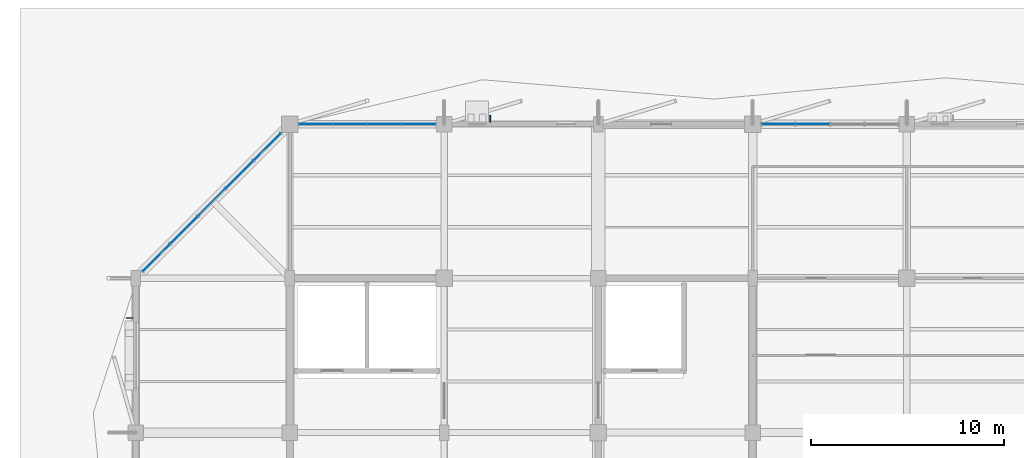
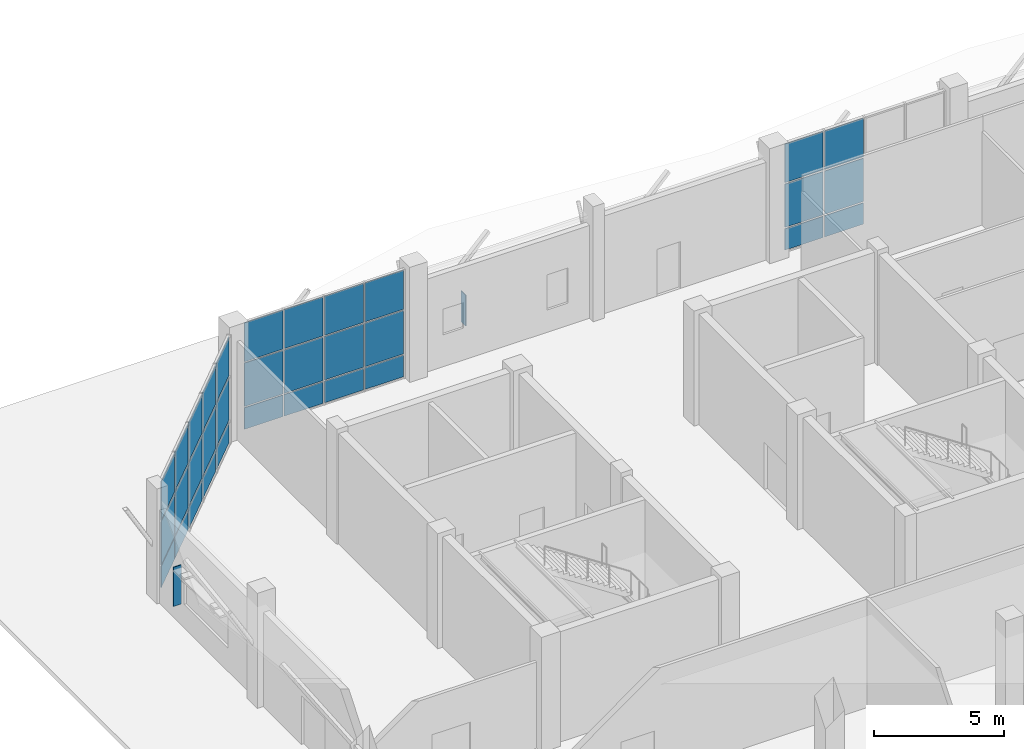
# One storey, part 79 of 123: 35 plates, 3 elements without a shape of their own.
"""IFC4 building model written with IfcOpenShell, lengths in metres."""

from ifc_helpers import new_model, si_unit, direction, frame, origin, origin_2d, place, context, subcontext, project, spatial, rectangle, extrude, material, layer, layer_set, type_object, element, aggregate, save


model = new_model("IFC4")

# Units and contexts
model_context = context("Model", 3, precision=1e-05, world=origin(), true_north=direction((0.0, 1.0)))
body_context = subcontext(model_context, "Body", "Model", "MODEL_VIEW")
ifc_project = project(units=[si_unit("LENGTHUNIT", "METRE"), si_unit("AREAUNIT", "SQUARE_METRE"), si_unit("VOLUMEUNIT", "CUBIC_METRE"), si_unit("PLANEANGLEUNIT", "RADIAN"), si_unit("MASSUNIT", "GRAM", prefix="KILO")], contexts=[model_context])

# Site, building, storey
site_placement = place(None, origin())
site = spatial("IfcSite", under=ifc_project, at=site_placement, CompositionType="ELEMENT")
building_placement = place(site_placement, origin())
building = spatial("IfcBuilding", under=site, at=building_placement, Name="Tenunan Teduh Sports Hall", CompositionType="ELEMENT")
storey_placement = place(building_placement, origin())
storey = spatial("IfcBuildingStorey", under=building, at=storey_placement, Name="L00", CompositionType="ELEMENT", Elevation=0.0)

# Curtain wall, plates
ifc_material_1 = material(Name="Anodised aluminium", Category="aluminium")
curtain_wall_type = type_object("IfcCurtainWallType", Name="CW-UNIT-1", PredefinedType="NOTDEFINED", material=ifc_material_1)
curtain_wall_1_placement = place(storey_placement, origin())
curtain_wall_1 = element("IfcCurtainWall", 1, at=curtain_wall_1_placement, inside=storey, type_object=curtain_wall_type, Name="CW-CWM-200-L00-196", PredefinedType="NOTDEFINED")
ifc_material_2 = material(Name="Low-E laminated double glazing", Category="glass")
ifc_layer_1 = layer(ifc_material_2, 0.028076171875)
ifc_layer_set_1 = layer_set([ifc_layer_1], Name="Low-E laminated double glazing")
plate_type_1 = type_object("IfcPlateType", Name="CWP-GLZ-28", PredefinedType="CURTAIN_PANEL", material=ifc_layer_set_1)
plate_1_placement = place(storey_placement, frame((39.33935546875, 118.0, 1.134765625), z_axis=(0.0, 0.0, 1.0), x_axis=(1.0, 0.0, 0.0)))
plate_1 = element("IfcPlate", 2, at=plate_1_placement, type_object=plate_type_1, Name="CW-01 panel 1.2", PredefinedType="CURTAIN_PANEL", context=body_context, shape_type="SweptSolid", body=[
    extrude(rectangle(XDim=1.688720703125, YDim=0.028076171875, at=origin_2d()), origin(), (0.0, 0.0, 1.0), 2.030029296875),
])
plate_2_placement = place(storey_placement, frame((39.33935546875, 118.0, 3.235107421875), z_axis=(0.0, 0.0, 1.0), x_axis=(1.0, 0.0, 0.0)))
plate_2 = element("IfcPlate", 3, at=plate_2_placement, type_object=plate_type_1, Name="CW-01 panel 1.3", PredefinedType="CURTAIN_PANEL", context=body_context, shape_type="SweptSolid", body=[
    extrude(rectangle(XDim=1.688720703125, YDim=0.028076171875, at=origin_2d()), origin(), (0.0, 0.0, 1.0), 1.81494140625),
])
plate_3_placement = place(storey_placement, frame((41.11572265625, 118.0, 1.134765625), z_axis=(0.0, 0.0, 1.0), x_axis=(1.0, 0.0, 0.0)))
plate_3 = element("IfcPlate", 4, at=plate_3_placement, type_object=plate_type_1, Name="CW-01 panel 2.2", PredefinedType="CURTAIN_PANEL", context=body_context, shape_type="SweptSolid", body=[
    extrude(rectangle(XDim=1.7236328125, YDim=0.028076171875, at=origin_2d()), origin(), (0.0, 0.0, 1.0), 2.030029296875),
])
plate_4_placement = place(storey_placement, frame((41.11572265625, 118.0, 3.235107421875), z_axis=(0.0, 0.0, 1.0), x_axis=(1.0, 0.0, 0.0)))
plate_4 = element("IfcPlate", 5, at=plate_4_placement, type_object=plate_type_1, Name="CW-01 panel 2.3", PredefinedType="CURTAIN_PANEL", context=body_context, shape_type="SweptSolid", body=[
    extrude(rectangle(XDim=1.7236328125, YDim=0.028076171875, at=origin_2d()), origin(), (0.0, 0.0, 1.0), 1.81494140625),
])

curtain_wall_2_placement = place(storey_placement, origin())
curtain_wall_2 = element("IfcCurtainWall", 6, at=curtain_wall_2_placement, inside=storey, type_object=curtain_wall_type, Name="CW-CWM-175-L00-198", PredefinedType="NOTDEFINED")
plate_5_placement = place(storey_placement, frame((7.073974609375, 111.073974609375, 1.13232421875), z_axis=(0.0, 0.0, 1.0), x_axis=(0.707116585031, 0.707096977206, 0.0)))
plate_5 = element("IfcPlate", 7, at=plate_5_placement, type_object=plate_type_1, Name="CW-01 panel 1.2", PredefinedType="CURTAIN_PANEL", context=body_context, shape_type="SweptSolid", body=[
    extrude(rectangle(XDim=1.9423828125, YDim=0.028076171875, at=origin_2d()), origin(), (0.0, 0.0, 1.0), 2.034912109375),
])
plate_6_placement = place(storey_placement, frame((7.073974609375, 111.073974609375, 3.232421875), z_axis=(0.0, 0.0, 1.0), x_axis=(0.707116585031, 0.707096977206, 0.0)))
plate_6 = element("IfcPlate", 8, at=plate_6_placement, type_object=plate_type_1, Name="CW-01 panel 1.3", PredefinedType="CURTAIN_PANEL", context=body_context, shape_type="SweptSolid", body=[
    extrude(rectangle(XDim=1.9423828125, YDim=0.028076171875, at=origin_2d()), origin(), (0.0, 0.0, 1.0), 1.822509765625),
])
plate_7_placement = place(storey_placement, frame((8.5048828125, 112.505126953125, 1.13232421875), z_axis=(0.0, 0.0, 1.0), x_axis=(0.707116585031, 0.707096977206, 0.0)))
plate_7 = element("IfcPlate", 9, at=plate_7_placement, type_object=plate_type_1, Name="CW-01 panel 2.2", PredefinedType="CURTAIN_PANEL", context=body_context, shape_type="SweptSolid", body=[
    extrude(rectangle(XDim=1.97509765625, YDim=0.028076171875, at=origin_2d()), origin(), (0.0, 0.0, 1.0), 2.034912109375),
])
plate_8_placement = place(storey_placement, frame((8.5048828125, 112.505126953125, 3.232421875), z_axis=(0.0, 0.0, 1.0), x_axis=(0.707116585031, 0.707096977206, 0.0)))
plate_8 = element("IfcPlate", 10, at=plate_8_placement, type_object=plate_type_1, Name="CW-01 panel 2.3", PredefinedType="CURTAIN_PANEL", context=body_context, shape_type="SweptSolid", body=[
    extrude(rectangle(XDim=1.97509765625, YDim=0.028076171875, at=origin_2d()), origin(), (0.0, 0.0, 1.0), 1.822509765625),
])
plate_9_placement = place(storey_placement, frame((9.947509765625, 113.947509765625, 1.13232421875), z_axis=(0.0, 0.0, 1.0), x_axis=(0.707116585031, 0.707096977206, 0.0)))
plate_9 = element("IfcPlate", 11, at=plate_9_placement, type_object=plate_type_1, Name="CW-01 panel 3.2", PredefinedType="CURTAIN_PANEL", context=body_context, shape_type="SweptSolid", body=[
    extrude(rectangle(XDim=1.97509765625, YDim=0.028076171875, at=origin_2d()), origin(), (0.0, 0.0, 1.0), 2.034912109375),
])
plate_10_placement = place(storey_placement, frame((9.947509765625, 113.947509765625, 3.232421875), z_axis=(0.0, 0.0, 1.0), x_axis=(0.707116585031, 0.707096977206, 0.0)))
plate_10 = element("IfcPlate", 12, at=plate_10_placement, type_object=plate_type_1, Name="CW-01 panel 3.3", PredefinedType="CURTAIN_PANEL", context=body_context, shape_type="SweptSolid", body=[
    extrude(rectangle(XDim=1.97509765625, YDim=0.028076171875, at=origin_2d()), origin(), (0.0, 0.0, 1.0), 1.822509765625),
])
plate_11_placement = place(storey_placement, frame((11.39013671875, 115.389892578125, 1.13232421875), z_axis=(0.0, 0.0, 1.0), x_axis=(0.707116585031, 0.707096977206, 0.0)))
plate_11 = element("IfcPlate", 13, at=plate_11_placement, type_object=plate_type_1, Name="CW-01 panel 4.2", PredefinedType="CURTAIN_PANEL", context=body_context, shape_type="SweptSolid", body=[
    extrude(rectangle(XDim=1.97509765625, YDim=0.028076171875, at=origin_2d()), origin(), (0.0, 0.0, 1.0), 2.034912109375),
])
plate_12_placement = place(storey_placement, frame((11.39013671875, 115.389892578125, 3.232421875), z_axis=(0.0, 0.0, 1.0), x_axis=(0.707116585031, 0.707096977206, 0.0)))
plate_12 = element("IfcPlate", 14, at=plate_12_placement, type_object=plate_type_1, Name="CW-01 panel 4.3", PredefinedType="CURTAIN_PANEL", context=body_context, shape_type="SweptSolid", body=[
    extrude(rectangle(XDim=1.97509765625, YDim=0.028076171875, at=origin_2d()), origin(), (0.0, 0.0, 1.0), 1.822509765625),
])
plate_13_placement = place(storey_placement, frame((12.821044921875, 116.821044921875, 1.13232421875), z_axis=(0.0, 0.0, 1.0), x_axis=(0.707116585031, 0.707096977206, 0.0)))
plate_13 = element("IfcPlate", 15, at=plate_13_placement, type_object=plate_type_1, Name="CW-01 panel 5.2", PredefinedType="CURTAIN_PANEL", context=body_context, shape_type="SweptSolid", body=[
    extrude(rectangle(XDim=1.9423828125, YDim=0.028076171875, at=origin_2d()), origin(), (0.0, 0.0, 1.0), 2.034912109375),
])
plate_14_placement = place(storey_placement, frame((12.821044921875, 116.821044921875, 3.232421875), z_axis=(0.0, 0.0, 1.0), x_axis=(0.707116585031, 0.707096977206, 0.0)))
plate_14 = element("IfcPlate", 16, at=plate_14_placement, type_object=plate_type_1, Name="CW-01 panel 5.3", PredefinedType="CURTAIN_PANEL", context=body_context, shape_type="SweptSolid", body=[
    extrude(rectangle(XDim=1.9423828125, YDim=0.028076171875, at=origin_2d()), origin(), (0.0, 0.0, 1.0), 1.822509765625),
])

curtain_wall_3_placement = place(storey_placement, origin())
curtain_wall_3 = element("IfcCurtainWall", 17, at=curtain_wall_3_placement, inside=storey, type_object=curtain_wall_type, Name="CW-CWM-150-L00-195", PredefinedType="NOTDEFINED")
ifc_material_3 = material(Name="Solar-control laminated glazing", Category="glass")
ifc_layer_2 = layer(ifc_material_3, 0.031982421875)
ifc_layer_set_2 = layer_set([ifc_layer_2], Name="Solar-control laminated glazing")
plate_type_2 = type_object("IfcPlateType", Name="CWP-GLZ-32", PredefinedType="CURTAIN_PANEL", material=ifc_layer_set_2)
plate_15_placement = place(storey_placement, frame((15.3369140625, 118.0, 1.1298828125), z_axis=(0.0, 0.0, 1.0), x_axis=(1.0, 0.0, 0.0)))
plate_15 = element("IfcPlate", 18, at=plate_15_placement, type_object=plate_type_2, Name="CW-01 panel 1.2", PredefinedType="CURTAIN_PANEL", context=body_context, shape_type="SweptSolid", body=[
    extrude(rectangle(XDim=1.703857421875, YDim=0.031982421875, at=origin_2d()), origin(), (0.0, 0.0, 1.0), 2.0400390625),
])
plate_16_placement = place(storey_placement, frame((15.3369140625, 118.0, 3.22998046875), z_axis=(0.0, 0.0, 1.0), x_axis=(1.0, 0.0, 0.0)))
plate_16 = element("IfcPlate", 19, at=plate_16_placement, type_object=plate_type_2, Name="CW-01 panel 1.3", PredefinedType="CURTAIN_PANEL", context=body_context, shape_type="SweptSolid", body=[
    extrude(rectangle(XDim=1.703857421875, YDim=0.031982421875, at=origin_2d()), origin(), (0.0, 0.0, 1.0), 1.830078125),
])
plate_17_placement = place(storey_placement, frame((17.11572265625, 118.0, 1.1298828125), z_axis=(0.0, 0.0, 1.0), x_axis=(1.0, 0.0, 0.0)))
plate_17 = element("IfcPlate", 20, at=plate_17_placement, type_object=plate_type_2, Name="CW-01 panel 2.2", PredefinedType="CURTAIN_PANEL", context=body_context, shape_type="SweptSolid", body=[
    extrude(rectangle(XDim=1.733642578125, YDim=0.031982421875, at=origin_2d()), origin(), (0.0, 0.0, 1.0), 2.0400390625),
])
plate_18_placement = place(storey_placement, frame((17.11572265625, 118.0, 3.22998046875), z_axis=(0.0, 0.0, 1.0), x_axis=(1.0, 0.0, 0.0)))
plate_18 = element("IfcPlate", 21, at=plate_18_placement, type_object=plate_type_2, Name="CW-01 panel 2.3", PredefinedType="CURTAIN_PANEL", context=body_context, shape_type="SweptSolid", body=[
    extrude(rectangle(XDim=1.733642578125, YDim=0.031982421875, at=origin_2d()), origin(), (0.0, 0.0, 1.0), 1.830078125),
])
plate_19_placement = place(storey_placement, frame((18.909423828125, 118.0, 1.1298828125), z_axis=(0.0, 0.0, 1.0), x_axis=(1.0, 0.0, 0.0)))
plate_19 = element("IfcPlate", 22, at=plate_19_placement, type_object=plate_type_2, Name="CW-01 panel 3.2", PredefinedType="CURTAIN_PANEL", context=body_context, shape_type="SweptSolid", body=[
    extrude(rectangle(XDim=1.733642578125, YDim=0.031982421875, at=origin_2d()), origin(), (0.0, 0.0, 1.0), 2.0400390625),
])
plate_20_placement = place(storey_placement, frame((18.909423828125, 118.0, 3.22998046875), z_axis=(0.0, 0.0, 1.0), x_axis=(1.0, 0.0, 0.0)))
plate_20 = element("IfcPlate", 23, at=plate_20_placement, type_object=plate_type_2, Name="CW-01 panel 3.3", PredefinedType="CURTAIN_PANEL", context=body_context, shape_type="SweptSolid", body=[
    extrude(rectangle(XDim=1.733642578125, YDim=0.031982421875, at=origin_2d()), origin(), (0.0, 0.0, 1.0), 1.830078125),
])
plate_21_placement = place(storey_placement, frame((20.688232421875, 118.0, 1.1298828125), z_axis=(0.0, 0.0, 1.0), x_axis=(1.0, 0.0, 0.0)))
plate_21 = element("IfcPlate", 24, at=plate_21_placement, type_object=plate_type_2, Name="CW-01 panel 4.2", PredefinedType="CURTAIN_PANEL", context=body_context, shape_type="SweptSolid", body=[
    extrude(rectangle(XDim=1.703857421875, YDim=0.031982421875, at=origin_2d()), origin(), (0.0, 0.0, 1.0), 2.0400390625),
])
plate_22_placement = place(storey_placement, frame((20.688232421875, 118.0, 3.22998046875), z_axis=(0.0, 0.0, 1.0), x_axis=(1.0, 0.0, 0.0)))
plate_22 = element("IfcPlate", 25, at=plate_22_placement, type_object=plate_type_2, Name="CW-01 panel 4.3", PredefinedType="CURTAIN_PANEL", context=body_context, shape_type="SweptSolid", body=[
    extrude(rectangle(XDim=1.703857421875, YDim=0.031982421875, at=origin_2d()), origin(), (0.0, 0.0, 1.0), 1.830078125),
])
ifc_material_4 = material(Name="Insulated aluminium spandrel panel", Category="aluminium")
ifc_layer_3 = layer(ifc_material_4, 0.044921875)
ifc_layer_set_3 = layer_set([ifc_layer_3], Name="Insulated aluminium spandrel panel")
plate_type_3 = type_object("IfcPlateType", Name="CWP-SPN-45", PredefinedType="CURTAIN_PANEL", material=ifc_layer_set_3)
plate_23_placement = place(storey_placement, frame((15.3369140625, 118.0, 0.06005859375), z_axis=(0.0, 0.0, 1.0), x_axis=(1.0, 0.0, 0.0)))
plate_23 = element("IfcPlate", 26, at=plate_23_placement, type_object=plate_type_3, Name="CW-01 panel 1.1", PredefinedType="CURTAIN_PANEL", context=body_context, shape_type="SweptSolid", body=[
    extrude(rectangle(XDim=1.703857421875, YDim=0.031982421875, at=origin_2d()), origin(), (0.0, 0.0, 1.0), 1.010009765625),
])
plate_24_placement = place(storey_placement, frame((17.11572265625, 118.0, 0.06005859375), z_axis=(0.0, 0.0, 1.0), x_axis=(1.0, 0.0, 0.0)))
plate_24 = element("IfcPlate", 27, at=plate_24_placement, type_object=plate_type_3, Name="CW-01 panel 2.1", PredefinedType="CURTAIN_PANEL", context=body_context, shape_type="SweptSolid", body=[
    extrude(rectangle(XDim=1.733642578125, YDim=0.031982421875, at=origin_2d()), origin(), (0.0, 0.0, 1.0), 1.010009765625),
])
plate_25_placement = place(storey_placement, frame((18.909423828125, 118.0, 0.06005859375), z_axis=(0.0, 0.0, 1.0), x_axis=(1.0, 0.0, 0.0)))
plate_25 = element("IfcPlate", 28, at=plate_25_placement, type_object=plate_type_3, Name="CW-01 panel 3.1", PredefinedType="CURTAIN_PANEL", context=body_context, shape_type="SweptSolid", body=[
    extrude(rectangle(XDim=1.733642578125, YDim=0.031982421875, at=origin_2d()), origin(), (0.0, 0.0, 1.0), 1.010009765625),
])
plate_26_placement = place(storey_placement, frame((20.688232421875, 118.0, 0.06005859375), z_axis=(0.0, 0.0, 1.0), x_axis=(1.0, 0.0, 0.0)))
plate_26 = element("IfcPlate", 29, at=plate_26_placement, type_object=plate_type_3, Name="CW-01 panel 4.1", PredefinedType="CURTAIN_PANEL", context=body_context, shape_type="SweptSolid", body=[
    extrude(rectangle(XDim=1.703857421875, YDim=0.031982421875, at=origin_2d()), origin(), (0.0, 0.0, 1.0), 1.010009765625),
])
aggregate(curtain_wall_3, [plate_23, plate_15, plate_16, plate_24, plate_17, plate_18, plate_25, plate_19, plate_20, plate_26, plate_21, plate_22])

# Plate
plate_27_placement = place(storey_placement, frame((39.33935546875, 118.0, 0.06982421875), z_axis=(0.0, 0.0, 1.0), x_axis=(1.0, 0.0, 0.0)))
plate_27 = element("IfcPlate", 30, at=plate_27_placement, type_object=plate_type_3, Name="CW-01 panel 1.1", PredefinedType="CURTAIN_PANEL", context=body_context, shape_type="SweptSolid", body=[
    extrude(rectangle(XDim=1.688720703125, YDim=0.028076171875, at=origin_2d()), origin(), (0.0, 0.0, 1.0), 0.9951171875),
])

plate_28_placement = place(storey_placement, frame((41.11572265625, 118.0, 0.06982421875), z_axis=(0.0, 0.0, 1.0), x_axis=(1.0, 0.0, 0.0)))
plate_28 = element("IfcPlate", 31, at=plate_28_placement, type_object=plate_type_3, Name="CW-01 panel 2.1", PredefinedType="CURTAIN_PANEL", context=body_context, shape_type="SweptSolid", body=[
    extrude(rectangle(XDim=1.7236328125, YDim=0.028076171875, at=origin_2d()), origin(), (0.0, 0.0, 1.0), 0.9951171875),
])

aggregate(curtain_wall_1, [plate_27, plate_1, plate_2, plate_28, plate_3, plate_4])

plate_29_placement = place(storey_placement, frame((7.073974609375, 111.073974609375, 0.06494140625), z_axis=(0.0, 0.0, 1.0), x_axis=(0.707116585031, 0.707096977206, 0.0)))
plate_29 = element("IfcPlate", 32, at=plate_29_placement, type_object=plate_type_3, Name="CW-01 panel 1.1", PredefinedType="CURTAIN_PANEL", context=body_context, shape_type="SweptSolid", body=[
    extrude(rectangle(XDim=1.9423828125, YDim=0.028076171875, at=origin_2d()), origin(), (0.0, 0.0, 1.0), 1.00244140625),
])

plate_30_placement = place(storey_placement, frame((8.5048828125, 112.505126953125, 0.06494140625), z_axis=(0.0, 0.0, 1.0), x_axis=(0.707116585031, 0.707096977206, 0.0)))
plate_30 = element("IfcPlate", 33, at=plate_30_placement, type_object=plate_type_3, Name="CW-01 panel 2.1", PredefinedType="CURTAIN_PANEL", context=body_context, shape_type="SweptSolid", body=[
    extrude(rectangle(XDim=1.97509765625, YDim=0.028076171875, at=origin_2d()), origin(), (0.0, 0.0, 1.0), 1.00244140625),
])

plate_31_placement = place(storey_placement, frame((9.947509765625, 113.947509765625, 0.06494140625), z_axis=(0.0, 0.0, 1.0), x_axis=(0.707116585031, 0.707096977206, 0.0)))
plate_31 = element("IfcPlate", 34, at=plate_31_placement, type_object=plate_type_3, Name="CW-01 panel 3.1", PredefinedType="CURTAIN_PANEL", context=body_context, shape_type="SweptSolid", body=[
    extrude(rectangle(XDim=1.97509765625, YDim=0.028076171875, at=origin_2d()), origin(), (0.0, 0.0, 1.0), 1.00244140625),
])

plate_32_placement = place(storey_placement, frame((11.39013671875, 115.389892578125, 0.06494140625), z_axis=(0.0, 0.0, 1.0), x_axis=(0.707116585031, 0.707096977206, 0.0)))
plate_32 = element("IfcPlate", 35, at=plate_32_placement, type_object=plate_type_3, Name="CW-01 panel 4.1", PredefinedType="CURTAIN_PANEL", context=body_context, shape_type="SweptSolid", body=[
    extrude(rectangle(XDim=1.97509765625, YDim=0.028076171875, at=origin_2d()), origin(), (0.0, 0.0, 1.0), 1.00244140625),
])

plate_33_placement = place(storey_placement, frame((12.821044921875, 116.821044921875, 0.06494140625), z_axis=(0.0, 0.0, 1.0), x_axis=(0.707116585031, 0.707096977206, 0.0)))
plate_33 = element("IfcPlate", 36, at=plate_33_placement, type_object=plate_type_3, Name="CW-01 panel 5.1", PredefinedType="CURTAIN_PANEL", context=body_context, shape_type="SweptSolid", body=[
    extrude(rectangle(XDim=1.9423828125, YDim=0.028076171875, at=origin_2d()), origin(), (0.0, 0.0, 1.0), 1.00244140625),
])

aggregate(curtain_wall_2, [plate_29, plate_5, plate_6, plate_30, plate_7, plate_8, plate_31, plate_9, plate_10, plate_32, plate_11, plate_12, plate_33, plate_13, plate_14])

# Plates
ifc_material_5 = material(Name="Anodised aluminium", Category="aluminium")
ifc_layer_4 = layer(ifc_material_5, 1.89990234375)
ifc_layer_set_4 = layer_set([ifc_layer_4], Name="Anodised aluminium")
plate_type_4 = type_object("IfcPlateType", Name="PLT-FIN-1", PredefinedType="SHEET", material=ifc_layer_set_4)
plate_34_placement = place(storey_placement, frame((24.389892578125, 118.284912109375, 1.380126953125), z_axis=(0.0, 0.0, 1.0), x_axis=(1.0, 0.0, 0.0)))
element("IfcPlate", 37, at=plate_34_placement, inside=storey, type_object=plate_type_4, Name="PLT-FIN-L00-017", PredefinedType="SHEET", context=body_context, shape_type="SweptSolid", body=[
    extrude(rectangle(XDim=0.0400390625, YDim=0.360107421875, at=origin_2d()), origin(), (0.0, 0.0, 1.0), 1.43994140625),
])
plate_35_placement = place(storey_placement, frame((5.699951171875, 107.93994140625, 0.97998046875), z_axis=(0.0, 0.0, 1.0), x_axis=(0.0, 1.0, 0.0)))
element("IfcPlate", 38, at=plate_35_placement, inside=storey, type_object=plate_type_4, Name="PLT-FIN-L00-021", PredefinedType="SHEET", context=body_context, shape_type="SweptSolid", body=[
    extrude(rectangle(XDim=0.0400390625, YDim=0.360107421875, at=origin_2d()), origin(), (0.0, 0.0, 1.0), 1.840087890625),
])

save(model, "model.ifc")
